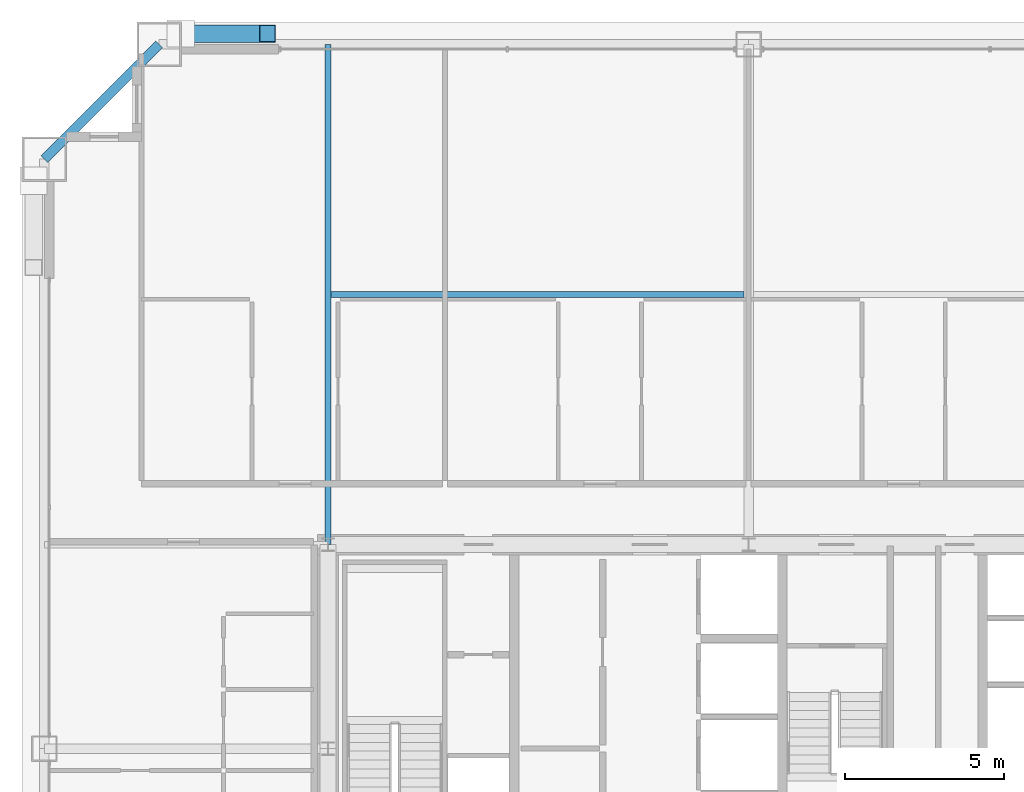
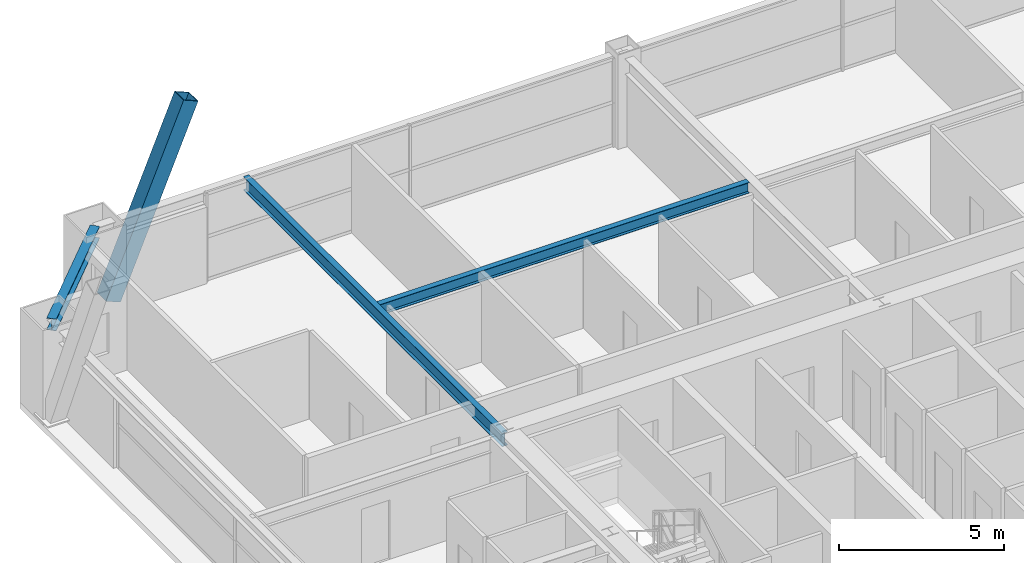
# One storey, part 28 of 42: 3 beams, 1 member.
"""IFC4 building model written with IfcOpenShell, lengths in metres."""

from ifc_helpers import new_model, si_unit, direction, frame, origin, origin_2d, place, context, subcontext, project, spatial, hollow_rectangle, i_section, extrude, source, transform, mapped, material, material_profile, profile_set, type_object, element, save


model = new_model("IFC4")

# Units and contexts
model_context = context("Model", 3, precision=1e-05, world=origin(), true_north=direction((0.0, 1.0)))
body_context = subcontext(model_context, "Body", "Model", "MODEL_VIEW")
ifc_project = project(units=[si_unit("LENGTHUNIT", "METRE"), si_unit("AREAUNIT", "SQUARE_METRE"), si_unit("VOLUMEUNIT", "CUBIC_METRE"), si_unit("PLANEANGLEUNIT", "RADIAN"), si_unit("MASSUNIT", "GRAM", prefix="KILO"), si_unit("THERMODYNAMICTEMPERATUREUNIT", "KELVIN"), si_unit("POWERUNIT", "WATT")], contexts=[model_context])

# Site, building, storey
site_placement = place(None, origin())
site = spatial("IfcSite", under=ifc_project, at=site_placement, CompositionType="ELEMENT")
building_placement = place(site_placement, origin())
building = spatial("IfcBuilding", under=site, at=building_placement, Name="Yuzanri Waterfront Tower", CompositionType="ELEMENT")
storey_placement = place(building_placement, frame((0.0, 0.0, 184.5)))
storey = spatial("IfcBuildingStorey", under=building, at=storey_placement, Name="L48", CompositionType="ELEMENT", Elevation=184.5)

# Beams
ifc_material_1 = material(Name="Steel Q355B", Category="steel")
ifc_material_profile_1 = material_profile(ifc_material_1, i_section(OverallWidth=0.199951171875, OverallDepth=0.39990234375, WebThickness=0.008056640625, FlangeThickness=0.012939453125, at=origin_2d()), Name="HN 400x200x8x13")
ifc_profile_set_1 = profile_set([ifc_material_profile_1], Name="Steel Q355B")
beam_type_1 = type_object("IfcBeamType", Name="Floor Joist Q355B HN 400x200", PredefinedType="JOIST", material=ifc_profile_set_1)
shared_shape_1 = source(origin(), body_context, "Body", "SweptSolid", [
    extrude(i_section(OverallWidth=0.199951171875, OverallDepth=0.39990234375, WebThickness=0.008056640625, FlangeThickness=0.012939453125, at=origin_2d()), origin(), (0.0, 0.0, 1.0), 12.9501953125),
])
beam_1_placement = place(storey_placement, frame((23.89990234375, 40.050048828125, 3.080078125), z_axis=(1.0, 0.0, 0.0), x_axis=(0.0, 1.0, 0.0)))
element("IfcBeam", 1, at=beam_1_placement, inside=storey, type_object=beam_type_1, Name="L48 North Bay Joist W", PredefinedType="JOIST", context=body_context, shape_type="MappedRepresentation", body=[
    mapped(shared_shape_1, transform((0.0, 0.0, 0.0), scale=1.0)),
])
ifc_material_2 = material(Name="Steel Q355B", Category="steel")
ifc_material_profile_2 = material_profile(ifc_material_2, i_section(OverallWidth=0.300048828125, OverallDepth=0.43994140625, WebThickness=0.010986328125, FlangeThickness=0.01806640625, at=origin_2d()), Name="HM 440x300x11x18")
ifc_profile_set_2 = profile_set([ifc_material_profile_2], Name="Steel Q355B")
beam_type_2 = type_object("IfcBeamType", Name="Perimeter Spandrel Q355B HM 440x300", PredefinedType="SPANDREL", material=ifc_profile_set_2)
shared_shape_2 = source(origin(), body_context, "Body", "SweptSolid", [
    extrude(i_section(OverallWidth=0.300048828125, OverallDepth=0.43994140625, WebThickness=0.010986328125, FlangeThickness=0.01806640625, at=origin_2d()), origin(), (0.0, 0.0, 1.0), 5.091064453125),
])
beam_2_placement = place(storey_placement, frame((18.5, 47.89990234375, 3.06005859375), z_axis=(-0.707130757816, -0.707082803744, 0.0), x_axis=(0.707082803744, -0.707130757816, 0.0)))
element("IfcBeam", 2, at=beam_2_placement, inside=storey, type_object=beam_type_2, Name="L48 Perimeter Spandrel N1-W3", PredefinedType="SPANDREL", context=body_context, shape_type="MappedRepresentation", body=[
    mapped(shared_shape_2, transform((0.0, 0.0, 0.0), scale=1.0)),
])
ifc_material_3 = material(Name="Steel Q355B", Category="steel")
ifc_material_profile_3 = material_profile(ifc_material_3, i_section(OverallWidth=0.199951171875, OverallDepth=0.5, WebThickness=0.010009765625, FlangeThickness=0.01611328125, at=origin_2d()), Name="HN 500x200x10x16")
ifc_profile_set_3 = profile_set([ifc_material_profile_3], Name="Steel Q355B")
beam_type_3 = type_object("IfcBeamType", Name="Secondary Floor Beam Q355B HN 500x200", PredefinedType="BEAM", material=ifc_profile_set_3)
shared_shape_3 = source(origin(), body_context, "Body", "SweptSolid", [
    extrude(i_section(OverallWidth=0.199951171875, OverallDepth=0.5, WebThickness=0.010009765625, FlangeThickness=0.01611328125, at=origin_2d()), origin(), (0.0, 0.0, 1.0), 15.699951171875),
])
beam_3_placement = place(storey_placement, frame((23.800048828125, 32.199951171875, 3.030029296875), z_axis=(0.0, 1.0, 0.0), x_axis=(-1.0, 0.0, 0.0)))
element("IfcBeam", 3, at=beam_3_placement, inside=storey, type_object=beam_type_3, Name="L48 North-West Core Line Beam", PredefinedType="BEAM", context=body_context, shape_type="MappedRepresentation", body=[
    mapped(shared_shape_3, transform((0.0, 0.0, 0.0), scale=1.0)),
])

# Member
ifc_material_4 = material(Name="Steel Q390GJC", Category="steel")
ifc_material_profile_4 = material_profile(ifc_material_4, hollow_rectangle(XDim=0.550048828125, YDim=0.550048828125, WallThickness=0.02490234375, at=origin_2d()), Name="RHS 550x550x25")
ifc_profile_set_4 = profile_set([ifc_material_profile_4], Name="Steel Q390GJC")
member_type = type_object("IfcMemberType", Name="Mega Brace Mid Q390GJC RHS 550x550x25", PredefinedType="BRACE", material=ifc_profile_set_4)
shared_shape_4 = source(origin(), body_context, "Body", "SweptSolid", [
    extrude(hollow_rectangle(XDim=0.550048828125, YDim=0.550048828125, WallThickness=0.02490234375, at=origin_2d()), origin(), (0.0, 0.0, 1.0), 7.046142578125),
])
member_placement = place(storey_placement, frame((19.179931640625, 48.239990234375, 0.179931640625), z_axis=(0.386022211732, 0.0, 0.922489486146), x_axis=(0.0, 1.0, 0.0)))
element("IfcMember", 4, at=member_placement, inside=storey, type_object=member_type, Name="L48-L49 Perimeter Mega-Brace N-L", PredefinedType="BRACE", context=body_context, shape_type="MappedRepresentation", body=[
    mapped(shared_shape_4, transform((0.0, 0.0, 0.0), scale=1.0)),
])

save(model, "model.ifc")
